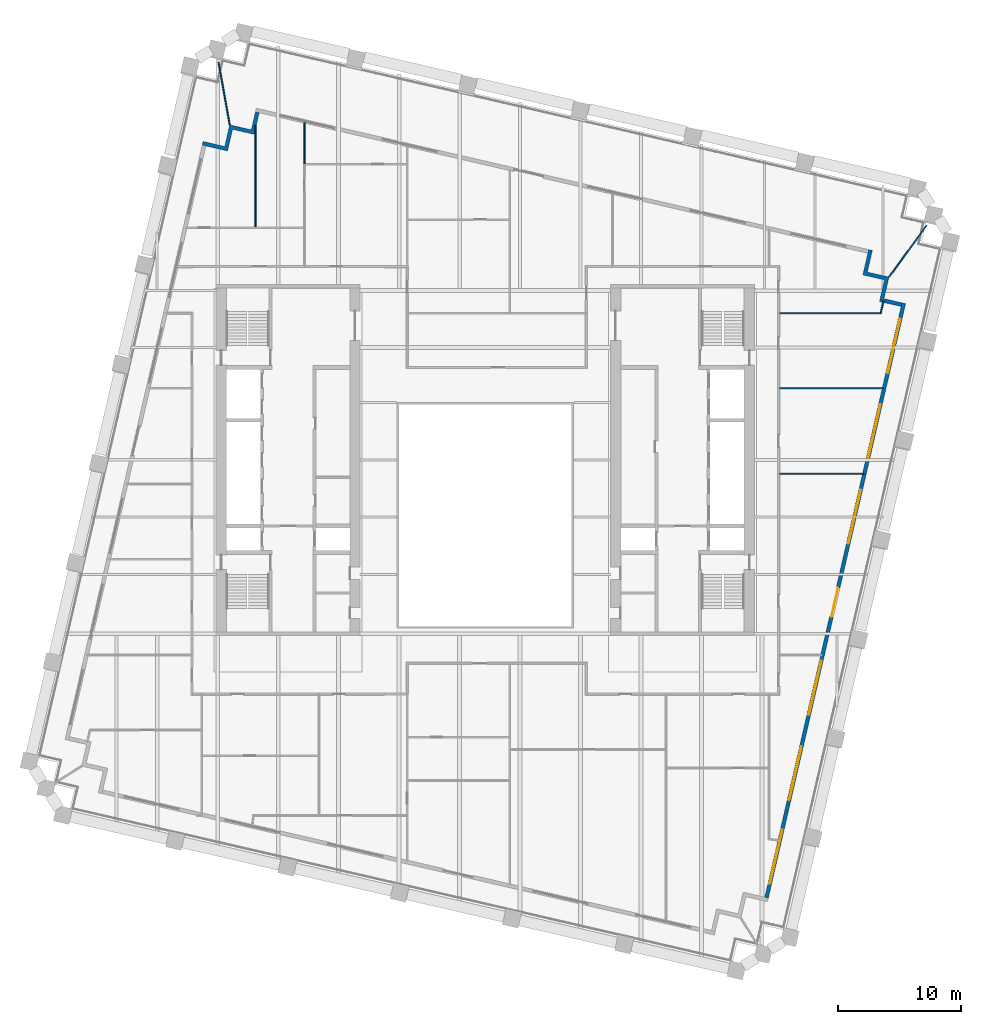
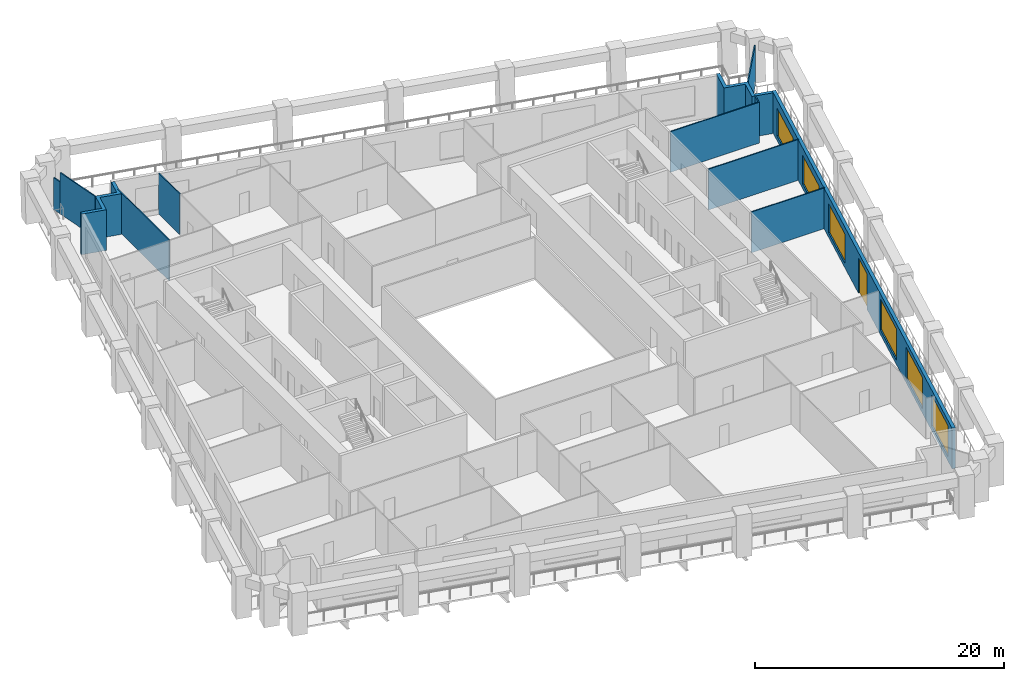
# One storey, part 9 of 11: 12 walls, 6 windows, 1 door, 7 openings.
"""IFC4 building model written with IfcOpenShell, lengths in metres."""

from ifc_helpers import new_model, si_unit, direction, frame, frame_2d, origin, place, context, subcontext, project, spatial, polyline, rectangle, outline, extrude, material, layer, layer_set, type_object, element, fill, save


model = new_model("IFC4")

# Units and contexts
model_context = context("Model", 3, precision=1e-05, world=origin(), true_north=direction((0.0, 1.0)))
body_context = subcontext(model_context, "Body", "Model", "MODEL_VIEW")
ifc_project = project(units=[si_unit("LENGTHUNIT", "METRE"), si_unit("AREAUNIT", "SQUARE_METRE"), si_unit("VOLUMEUNIT", "CUBIC_METRE"), si_unit("PLANEANGLEUNIT", "RADIAN"), si_unit("MASSUNIT", "GRAM", prefix="KILO")], contexts=[model_context])

# Site, building, storey
site_placement = place(None, origin())
site = spatial("IfcSite", under=ifc_project, at=site_placement, CompositionType="ELEMENT")
building_placement = place(site_placement, origin())
building = spatial("IfcBuilding", under=site, at=building_placement, Name="Ogive Exchange Tower", CompositionType="ELEMENT")
storey_placement = place(building_placement, frame((0.0, 0.0, 135.0)))
storey = spatial("IfcBuildingStorey", under=building, at=storey_placement, Name="L29", CompositionType="ELEMENT", Elevation=135.0)

# Wall, openings, door, windows
ifc_material_1 = material(Name="Precast concrete C40/50", Category="concrete")
ifc_layer_1 = layer(ifc_material_1, 0.300048828125)
ifc_layer_set_1 = layer_set([ifc_layer_1], Name="Limestone-faced wall 300")
wall_type_1 = type_object("IfcWallType", Name="Limestone-faced wall 300", PredefinedType="STANDARD", material=ifc_layer_set_1)
wall_1_placement = place(storey_placement, frame((22.8203125, -24.015625, 0.0), z_axis=(0.0, 0.0, 1.0), x_axis=(0.224953880882, 0.974369412223, 0.0)))
wall_1 = element("IfcWall", 1, at=wall_1_placement, inside=storey, type_object=wall_type_1, Name="External wall E2", PredefinedType="STANDARD", context=body_context, shape_type="SweptSolid", body=[
    extrude(rectangle(XDim=49.500244140625, YDim=0.300048828125, at=frame_2d((24.75, 0.0))), origin(), (0.0, 0.0, 1.0), 4.0),
])
opening_1_placement = place(wall_1_placement, frame((1.156982421875, 0.0, 0.449951171875)))
opening_1 = element("IfcOpeningElement", 2, at=opening_1_placement, cuts=wall_1, Name="Opening W1", PredefinedType="OPENING", context=body_context, shape_type="SweptSolid", body=[
    extrude(rectangle(XDim=4.5, YDim=3.050048828125, at=frame_2d((2.25, 1.52490234375))), frame((0.0, 0.159912109375, 0.0), z_axis=(0.0, -1.0, 0.0), x_axis=(1.0, 0.0, 0.0)), (0.0, 0.0, 1.0), 0.320068359375),
])
opening_2_placement = place(wall_1_placement, frame((8.121337890625, 0.0, 0.449951171875)))
opening_2 = element("IfcOpeningElement", 3, at=opening_2_placement, cuts=wall_1, Name="Opening W1", PredefinedType="OPENING", context=body_context, shape_type="SweptSolid", body=[
    extrude(rectangle(XDim=4.5, YDim=3.050048828125, at=frame_2d((2.25, 1.52490234375))), frame((0.0, 0.159912109375, 0.0), z_axis=(0.0, -1.0, 0.0), x_axis=(1.0, 0.0, 0.0)), (0.0, 0.0, 1.0), 0.320068359375),
])
opening_3_placement = place(wall_1_placement, frame((15.235595703125, 0.0, 0.449951171875)))
opening_3 = element("IfcOpeningElement", 4, at=opening_3_placement, cuts=wall_1, Name="Opening W1", PredefinedType="OPENING", context=body_context, shape_type="SweptSolid", body=[
    extrude(rectangle(XDim=4.5, YDim=3.050048828125, at=frame_2d((2.25, 1.52490234375))), frame((0.0, 0.159912109375, 0.0), z_axis=(0.0, -1.0, 0.0), x_axis=(1.0, 0.0, 0.0)), (0.0, 0.0, 1.0), 0.320068359375),
])
opening_4_placement = place(wall_1_placement, frame((23.39990234375, 0.0, 0.0)))
opening_4 = element("IfcOpeningElement", 5, at=opening_4_placement, cuts=wall_1, Name="Opening D1", PredefinedType="OPENING", context=body_context, shape_type="SweptSolid", body=[
    extrude(rectangle(XDim=2.39990234375, YDim=3.5, at=frame_2d((1.199951171875, 1.75))), frame((0.0, 0.159912109375, 0.0), z_axis=(0.0, -1.0, 0.0), x_axis=(1.0, 0.0, 0.0)), (0.0, 0.0, 1.0), 0.320068359375),
])
opening_5_placement = place(wall_1_placement, frame((29.464111328125, 0.0, 0.449951171875)))
opening_5 = element("IfcOpeningElement", 6, at=opening_5_placement, cuts=wall_1, Name="Opening W1D", PredefinedType="OPENING", context=body_context, shape_type="SweptSolid", body=[
    extrude(rectangle(XDim=4.5, YDim=2.875, at=frame_2d((2.25, 1.4375))), frame((0.0, 0.159912109375, 0.0), z_axis=(0.0, -1.0, 0.0), x_axis=(1.0, 0.0, 0.0)), (0.0, 0.0, 1.0), 0.320068359375),
])
opening_6_placement = place(wall_1_placement, frame((36.57861328125, 0.0, 0.449951171875)))
opening_6 = element("IfcOpeningElement", 7, at=opening_6_placement, cuts=wall_1, Name="Opening W1E", PredefinedType="OPENING", context=body_context, shape_type="SweptSolid", body=[
    extrude(rectangle(XDim=4.5, YDim=2.824951171875, at=frame_2d((2.25, 1.41259765625))), frame((0.0, 0.159912109375, 0.0), z_axis=(0.0, -1.0, 0.0), x_axis=(1.0, 0.0, 0.0)), (0.0, 0.0, 1.0), 0.320068359375),
])
opening_7_placement = place(wall_1_placement, frame((43.69287109375, 0.0, 0.449951171875)))
opening_7 = element("IfcOpeningElement", 8, at=opening_7_placement, cuts=wall_1, Name="Opening W1H", PredefinedType="OPENING", context=body_context, shape_type="SweptSolid", body=[
    extrude(rectangle(XDim=4.5, YDim=2.75, at=frame_2d((2.25, 1.375))), frame((0.0, 0.159912109375, 0.0), z_axis=(0.0, -1.0, 0.0), x_axis=(1.0, 0.0, 0.0)), (0.0, 0.0, 1.0), 0.320068359375),
])
ifc_material_2 = material(Name="Clear glass in bronze frame", Category="glass")
door_type = type_object("IfcDoorType", Name="Sliding loggia door 2400 x 3500", OperationType="DOUBLE_DOOR_SLIDING", PredefinedType="DOOR", material=ifc_material_2)
door_placement = place(opening_4_placement, origin())
door = element("IfcDoor", 9, at=door_placement, inside=storey, type_object=door_type, Name="Loggia door E03", OperationType="DOUBLE_DOOR_SLIDING", OverallHeight=3.5, OverallWidth=2.39990234375, PredefinedType="DOOR", context=body_context, shape_type="SweptSolid", body=[
    extrude(rectangle(XDim=2.39990234375, YDim=3.5, at=frame_2d((1.199951171875, 1.75))), frame((0.0, 0.02490234375, 0.0), z_axis=(0.0, -1.0, 0.0), x_axis=(1.0, 0.0, 0.0)), (0.0, 0.0, 1.0), 0.050048828125),
])
fill(opening_4, door)
window_type_1 = type_object("IfcWindowType", Name="Twin lancet window 4500 x 2750", PartitioningType="DOUBLE_PANEL_VERTICAL", PredefinedType="WINDOW", material=ifc_material_2)
window_1_placement = place(opening_7_placement, origin())
window_1 = element("IfcWindow", 10, at=window_1_placement, inside=storey, type_object=window_type_1, Name="Window E06", OverallHeight=2.75, OverallWidth=4.5, PartitioningType="DOUBLE_PANEL_VERTICAL", PredefinedType="WINDOW", context=body_context, shape_type="SweptSolid", body=[
    extrude(rectangle(XDim=4.5, YDim=2.75, at=frame_2d((2.25, 1.375))), frame((0.0, 0.030029296875, 0.0), z_axis=(0.0, -1.0, 0.0), x_axis=(1.0, 0.0, 0.0)), (0.0, 0.0, 1.0), 0.06005859375),
])
fill(opening_7, window_1)
window_type_2 = type_object("IfcWindowType", Name="Twin lancet window 4500 x 2825", PartitioningType="DOUBLE_PANEL_VERTICAL", PredefinedType="WINDOW", material=ifc_material_2)
window_2_placement = place(opening_6_placement, origin())
window_2 = element("IfcWindow", 11, at=window_2_placement, inside=storey, type_object=window_type_2, Name="Window E05", OverallHeight=2.824951171875, OverallWidth=4.5, PartitioningType="DOUBLE_PANEL_VERTICAL", PredefinedType="WINDOW", context=body_context, shape_type="SweptSolid", body=[
    extrude(rectangle(XDim=4.5, YDim=2.824951171875, at=frame_2d((2.25, 1.41259765625))), frame((0.0, 0.030029296875, 0.0), z_axis=(0.0, -1.0, 0.0), x_axis=(1.0, 0.0, 0.0)), (0.0, 0.0, 1.0), 0.06005859375),
])
fill(opening_6, window_2)
window_type_3 = type_object("IfcWindowType", Name="Twin lancet window 4500 x 2875", PartitioningType="DOUBLE_PANEL_VERTICAL", PredefinedType="WINDOW", material=ifc_material_2)
window_3_placement = place(opening_5_placement, origin())
window_3 = element("IfcWindow", 12, at=window_3_placement, inside=storey, type_object=window_type_3, Name="Window E04", OverallHeight=2.875, OverallWidth=4.5, PartitioningType="DOUBLE_PANEL_VERTICAL", PredefinedType="WINDOW", context=body_context, shape_type="SweptSolid", body=[
    extrude(rectangle(XDim=4.5, YDim=2.875, at=frame_2d((2.25, 1.4375))), frame((0.0, 0.030029296875, 0.0), z_axis=(0.0, -1.0, 0.0), x_axis=(1.0, 0.0, 0.0)), (0.0, 0.0, 1.0), 0.06005859375),
])
fill(opening_5, window_3)
window_type_4 = type_object("IfcWindowType", Name="Twin lancet window 4500 x 3050", PartitioningType="DOUBLE_PANEL_VERTICAL", PredefinedType="WINDOW", material=ifc_material_2)
window_4_placement = place(opening_1_placement, origin())
window_4 = element("IfcWindow", 13, at=window_4_placement, inside=storey, type_object=window_type_4, Name="Window E00", OverallHeight=3.050048828125, OverallWidth=4.5, PartitioningType="DOUBLE_PANEL_VERTICAL", PredefinedType="WINDOW", context=body_context, shape_type="SweptSolid", body=[
    extrude(rectangle(XDim=4.5, YDim=3.050048828125, at=frame_2d((2.25, 1.52490234375))), frame((0.0, 0.030029296875, 0.0), z_axis=(0.0, -1.0, 0.0), x_axis=(1.0, 0.0, 0.0)), (0.0, 0.0, 1.0), 0.06005859375),
])
fill(opening_1, window_4)
window_5_placement = place(opening_2_placement, origin())
window_5 = element("IfcWindow", 14, at=window_5_placement, inside=storey, type_object=window_type_4, Name="Window E01", OverallHeight=3.050048828125, OverallWidth=4.5, PartitioningType="DOUBLE_PANEL_VERTICAL", PredefinedType="WINDOW", context=body_context, shape_type="SweptSolid", body=[
    extrude(rectangle(XDim=4.5, YDim=3.050048828125, at=frame_2d((2.25, 1.52490234375))), frame((0.0, 0.030029296875, 0.0), z_axis=(0.0, -1.0, 0.0), x_axis=(1.0, 0.0, 0.0)), (0.0, 0.0, 1.0), 0.06005859375),
])
fill(opening_2, window_5)
window_6_placement = place(opening_3_placement, origin())
window_6 = element("IfcWindow", 15, at=window_6_placement, inside=storey, type_object=window_type_4, Name="Window E02", OverallHeight=3.050048828125, OverallWidth=4.5, PartitioningType="DOUBLE_PANEL_VERTICAL", PredefinedType="WINDOW", context=body_context, shape_type="SweptSolid", body=[
    extrude(rectangle(XDim=4.5, YDim=3.050048828125, at=frame_2d((2.25, 1.52490234375))), frame((0.0, 0.030029296875, 0.0), z_axis=(0.0, -1.0, 0.0), x_axis=(1.0, 0.0, 0.0)), (0.0, 0.0, 1.0), 0.06005859375),
])
fill(opening_3, window_6)

# Walls
wall_2_placement = place(storey_placement, origin())
element("IfcWall", 16, at=wall_2_placement, inside=storey, type_object=wall_type_1, Name="External corner wall C2", PredefinedType="STANDARD", context=body_context, shape_type="SweptSolid", body=[
    extrude(outline(polyline([(32.392822265625, 26.115966796875), (30.638916015625, 26.52099609375), (31.111328125, 28.56689453125), (31.40380859375, 28.49951171875), (30.998779296875, 26.74560546875), (32.752685546875, 26.3408203125), (32.34765625, 24.5869140625), (33.809326171875, 24.24951171875), (33.74169921875, 23.957275390625), (31.98779296875, 24.362060546875), (32.392822265625, 26.115966796875)])), origin(), (0.0, 0.0, 1.0), 4.0),
])
wall_3_placement = place(storey_placement, origin())
element("IfcWall", 17, at=wall_3_placement, inside=storey, type_object=wall_type_1, Name="External corner wall C3", PredefinedType="STANDARD", context=body_context, shape_type="SweptSolid", body=[
    extrude(outline(polyline([(-22.966552734375, 37.04931640625), (-22.89892578125, 37.341552734375), (-21.145263671875, 36.936767578125), (-20.740234375, 38.690673828125), (-18.986328125, 38.28564453125), (-18.64892578125, 39.747314453125), (-18.356689453125, 39.6796875), (-18.76171875, 37.92578125), (-20.515380859375, 38.330810546875), (-20.92041015625, 36.576904296875), (-22.966552734375, 37.04931640625)])), origin(), (0.0, 0.0, 1.0), 4.0),
])
ifc_material_3 = material(Name="Laminated safety glass in steel frame", Category="steel")
ifc_layer_2 = layer(ifc_material_3, 0.10009765625)
ifc_layer_set_2 = layer_set([ifc_layer_2], Name="Loggia end screen 100")
wall_type_2 = type_object("IfcWallType", Name="Loggia end screen 100", PredefinedType="STANDARD", material=ifc_layer_set_2)
wall_4_placement = place(storey_placement, frame((32.752685546875, 26.3408203125, -0.050048828125), z_axis=(0.0, 0.0, 1.0), x_axis=(0.58961396776, 0.807685191781, 0.0)))
element("IfcWall", 18, at=wall_4_placement, inside=storey, type_object=wall_type_2, Name="Loggia end screen C2", PredefinedType="STANDARD", context=body_context, shape_type="SweptSolid", body=[
    extrude(rectangle(XDim=5.170166015625, YDim=0.10009765625, at=frame_2d((2.5849609375, 0.0))), origin(), (0.0, 0.0, 1.0), 4.050048828125),
])
wall_5_placement = place(storey_placement, frame((-20.740234375, 38.690673828125, -0.050048828125), z_axis=(0.0, 0.0, 1.0), x_axis=(-0.175911858108, 0.984405921446, 0.0)))
element("IfcWall", 19, at=wall_5_placement, inside=storey, type_object=wall_type_2, Name="Loggia end screen C3", PredefinedType="STANDARD", context=body_context, shape_type="SweptSolid", body=[
    extrude(rectangle(XDim=4.32177734375, YDim=0.10009765625, at=frame_2d((2.160888671875, 0.0))), origin(), (0.0, 0.0, 1.0), 4.050048828125),
])
wall_6_placement = place(storey_placement, frame((-21.50048828125, 42.945068359375, -0.050048828125), z_axis=(0.0, 0.0, 1.0), x_axis=(-0.175870336542, 0.984413340383, 0.0)))
element("IfcWall", 20, at=wall_6_placement, inside=storey, type_object=wall_type_2, Name="Loggia end screen C3", PredefinedType="STANDARD", context=body_context, shape_type="SweptSolid", body=[
    extrude(rectangle(XDim=0.84814453125, YDim=0.10009765625, at=frame_2d((0.424072265625, 0.0))), origin(), (0.0, 0.0, 1.0), 3.131103515625),
])
ifc_material_4 = material(Name="Partition 100 gypsum")
ifc_layer_3 = layer(ifc_material_4, 0.10009765625)
ifc_layer_set_3 = layer_set([ifc_layer_3], Name="Partition 100 gypsum")
wall_type_3 = type_object("IfcWallType", Name="Partition 100 gypsum", PredefinedType="PARTITIONING", material=ifc_layer_set_3)
wall_7_placement = place(storey_placement, frame((-18.64990234375, 30.389892578125, 0.0), z_axis=(0.0, 0.0, 1.0), x_axis=(0.0, 1.0, 0.0)))
element("IfcWall", 21, at=wall_7_placement, inside=storey, type_object=wall_type_3, Name="L29-PWL-024", PredefinedType="PARTITIONING", context=body_context, shape_type="SweptSolid", body=[
    extrude(rectangle(XDim=8.26416015625, YDim=0.10009765625, at=frame_2d((4.132080078125, 0.0))), origin(), (0.0, 0.0, 1.0), 4.0),
])
wall_8_placement = place(storey_placement, frame((-14.669921875, 35.550048828125, 0.0), z_axis=(0.0, 0.0, 1.0), x_axis=(0.0, 1.0, 0.0)))
element("IfcWall", 22, at=wall_8_placement, inside=storey, type_object=wall_type_3, Name="L29-PWL-029", PredefinedType="PARTITIONING", context=body_context, shape_type="SweptSolid", body=[
    extrude(rectangle(XDim=3.36083984375, YDim=0.10009765625, at=frame_2d((1.680419921875, 0.0))), origin(), (0.0, 0.0, 1.0), 4.0),
])
wall_9_placement = place(storey_placement, frame((23.875, 10.389892578125, 0.0), z_axis=(0.0, 0.0, 1.0), x_axis=(1.0, 0.0, 0.0)))
element("IfcWall", 23, at=wall_9_placement, inside=storey, type_object=wall_type_3, Name="L29-PWL-084", PredefinedType="PARTITIONING", context=body_context, shape_type="SweptSolid", body=[
    extrude(rectangle(XDim=6.81689453125, YDim=0.10009765625, at=frame_2d((3.408447265625, 0.0))), origin(), (0.0, 0.0, 1.0), 4.0),
])
wall_10_placement = place(storey_placement, frame((23.875, 17.320068359375, 0.0), z_axis=(0.0, 0.0, 1.0), x_axis=(1.0, 0.0, 0.0)))
element("IfcWall", 24, at=wall_10_placement, inside=storey, type_object=wall_type_3, Name="L29-PWL-086", PredefinedType="PARTITIONING", context=body_context, shape_type="SweptSolid", body=[
    extrude(rectangle(XDim=8.4169921875, YDim=0.10009765625, at=frame_2d((4.20849609375, 0.0))), origin(), (0.0, 0.0, 1.0), 4.0),
])
wall_11_placement = place(storey_placement, frame((23.875, 23.409912109375, 0.0), z_axis=(0.0, 0.0, 1.0), x_axis=(1.0, 0.0, 0.0)))
element("IfcWall", 25, at=wall_11_placement, inside=storey, type_object=wall_type_3, Name="L29-PWL-088", PredefinedType="PARTITIONING", context=body_context, shape_type="SweptSolid", body=[
    extrude(rectangle(XDim=8.2548828125, YDim=0.10009765625, at=frame_2d((4.12744140625, 0.0))), origin(), (0.0, 0.0, 1.0), 4.0),
])
wall_12_placement = place(storey_placement, frame((32.091064453125, 23.458984375, 0.0), z_axis=(0.0, 0.0, 1.0), x_axis=(0.223406444343, 0.97472537703, 0.0)))
element("IfcWall", 26, at=wall_12_placement, inside=storey, type_object=wall_type_3, Name="L29-PWL-090", PredefinedType="PARTITIONING", context=body_context, shape_type="SweptSolid", body=[
    extrude(rectangle(XDim=0.957275390625, YDim=0.10009765625, at=frame_2d((0.478515625, 0.0))), origin(), (0.0, 0.0, 1.0), 4.0),
])

save(model, "model.ifc")
